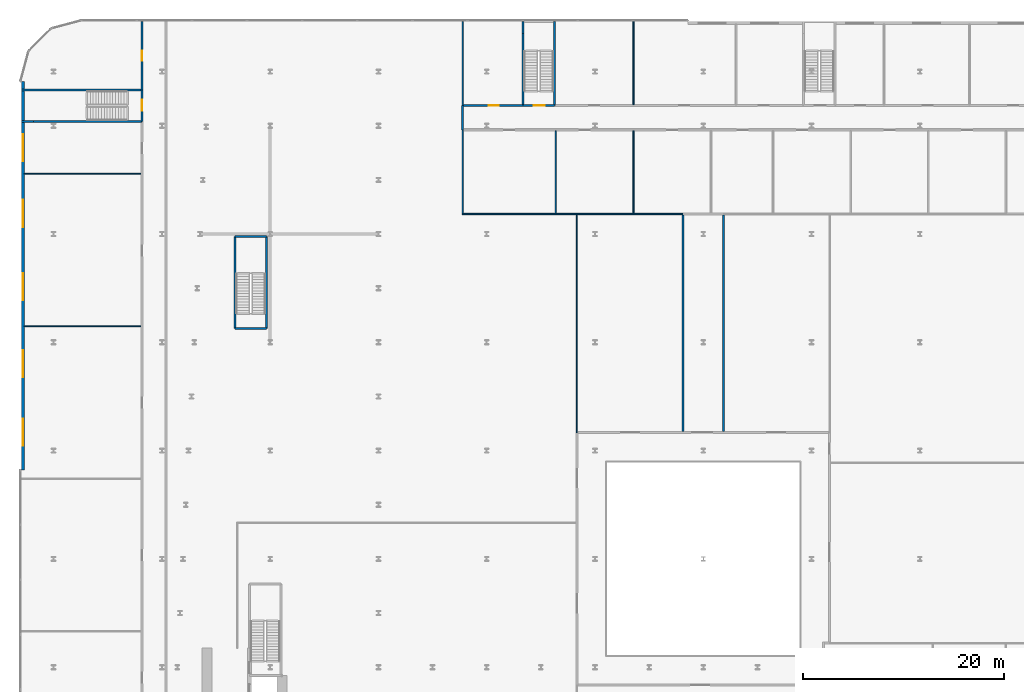
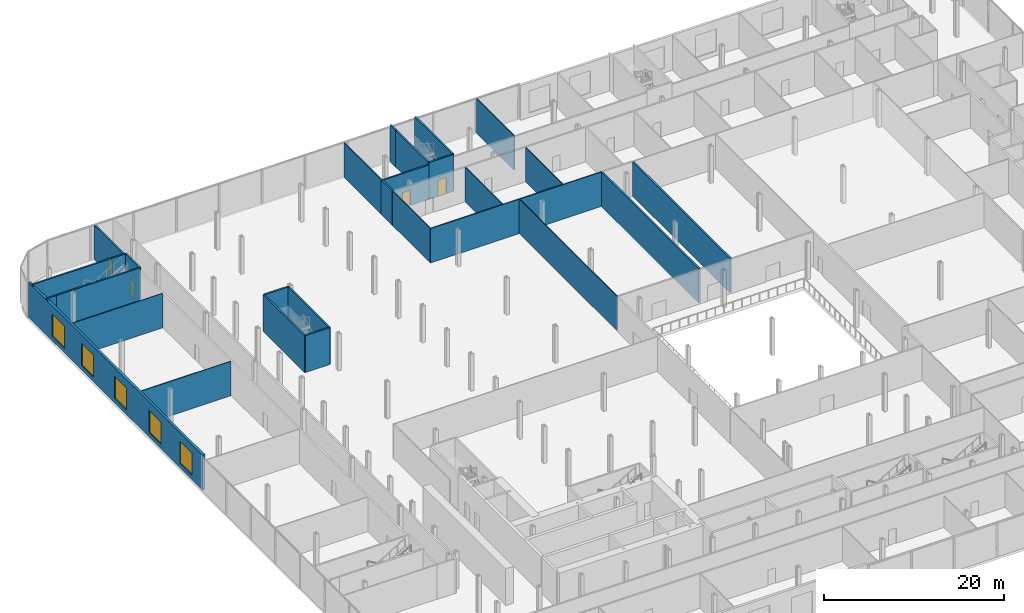
# One storey, part 33 of 47: 27 walls, 5 windows, 4 doors, 9 openings.
"""IFC4 building model written with IfcOpenShell, lengths in metres."""

from ifc_helpers import new_model, si_unit, direction, frame, frame_2d, origin, place, context, subcontext, project, spatial, rectangle, extrude, source, transform, mapped, material, layer, layer_set, type_object, element, fill, save


model = new_model("IFC4")

# Units and contexts
model_context = context("Model", 3, precision=1e-05, world=origin(), true_north=direction((0.0, 1.0)))
body_context = subcontext(model_context, "Body", "Model", "MODEL_VIEW")
ifc_project = project(units=[si_unit("LENGTHUNIT", "METRE"), si_unit("AREAUNIT", "SQUARE_METRE"), si_unit("VOLUMEUNIT", "CUBIC_METRE"), si_unit("PLANEANGLEUNIT", "RADIAN"), si_unit("MASSUNIT", "GRAM", prefix="KILO")], contexts=[model_context])

# Site, building, storey
site_placement = place(None, origin())
site = spatial("IfcSite", under=ifc_project, at=site_placement, CompositionType="ELEMENT")
building_placement = place(site_placement, origin())
building = spatial("IfcBuilding", under=site, at=building_placement, Name="Kheshtan School and Residences Tower", CompositionType="ELEMENT")
storey_placement = place(building_placement, frame((0.0, 0.0, 7.5)))
storey = spatial("IfcBuildingStorey", under=building, at=storey_placement, Name="L01", CompositionType="ELEMENT", Elevation=7.5)

# Walls
ifc_material_1 = material(Name="Gypsum board on steel studs with mineral wool", Category="steel")
ifc_layer_1 = layer(ifc_material_1, 0.125)
ifc_layer_set_1 = layer_set([ifc_layer_1], Name="Acoustic partition 125")
wall_type_1 = type_object("IfcWallType", Name="Acoustic partition 125", PredefinedType="PARTITIONING", material=ifc_layer_set_1)
wall_1_placement = place(storey_placement, frame((55.93798828125, 90.800048828125, 0.0), z_axis=(0.0, 0.0, 1.0), x_axis=(1.0, 0.0, 0.0)))
element("IfcWall", 1, at=wall_1_placement, inside=storey, type_object=wall_type_1, Name="Partition L01-020", PredefinedType="PARTITIONING", context=body_context, shape_type="SweptSolid", body=[
    extrude(rectangle(XDim=22.06201171875, YDim=0.125, at=frame_2d((11.031005859375, 0.0))), origin(), (0.0, 0.0, 1.0), 4.679931640625),
])
wall_2_placement = place(storey_placement, frame((56.0, 90.862060546875, 0.0), z_axis=(0.0, 0.0, 1.0), x_axis=(0.0, 1.0, 0.0)))
element("IfcWall", 2, at=wall_2_placement, inside=storey, type_object=wall_type_1, Name="Partition L01-021", PredefinedType="PARTITIONING", context=body_context, shape_type="SweptSolid", body=[
    extrude(rectangle(XDim=8.337890625, YDim=0.125, at=frame_2d((4.1689453125, 0.0))), origin(), (0.0, 0.0, 1.0), 4.679931640625),
])
wall_3_placement = place(storey_placement, frame((56.0, 101.60009765625, 0.0), z_axis=(0.0, 0.0, 1.0), x_axis=(0.0, 1.0, 0.0)))
element("IfcWall", 3, at=wall_3_placement, inside=storey, type_object=wall_type_1, Name="Partition L01-023", PredefinedType="PARTITIONING", context=body_context, shape_type="SweptSolid", body=[
    extrude(rectangle(XDim=8.39990234375, YDim=0.125, at=frame_2d((4.199951171875, 0.0))), origin(), (0.0, 0.0, 1.0), 4.679931640625),
])
for number, where, z_axis, x_axis, name in (
    (4, (65.2890625, 90.862060546875, 0.0), (0.0, 0.0, 1.0), (0.0, 1.0, 0.0), "Partition L01-027"),
    (5, (73.029052734375, 90.862060546875, 0.0), (0.0, 0.0, 1.0), (0.0, 1.0, 0.0), "Partition L01-034"),
):
    element("IfcWall", number, at=place(storey_placement, frame(where, z_axis=z_axis, x_axis=x_axis)), inside=storey, type_object=wall_type_1, Name=name, PredefinedType="PARTITIONING", context=body_context, shape_type="SweptSolid", body=[
        extrude(rectangle(XDim=8.238037109375, YDim=0.125, at=frame_2d((4.119140625, 0.0))), origin(), (0.0, 0.0, 1.0), 4.679931640625),
    ])
wall_4_placement = place(storey_placement, frame((73.0419921875, 101.699951171875, 0.0), z_axis=(0.0, 0.0, 1.0), x_axis=(0.0, 1.0, 0.0)))
element("IfcWall", 6, at=wall_4_placement, inside=storey, type_object=wall_type_1, Name="Partition L01-035", PredefinedType="PARTITIONING", context=body_context, shape_type="SweptSolid", body=[
    extrude(rectangle(XDim=8.300048828125, YDim=0.125, at=frame_2d((4.14990234375, 0.0))), origin(), (0.0, 0.0, 1.0), 4.679931640625),
])

# Wall, opening, door
ifc_material_2 = material(Name="Gypsum board on steel studs with fire boards", Category="steel")
ifc_layer_2 = layer(ifc_material_2, 0.199951171875)
ifc_layer_set_2 = layer_set([ifc_layer_2], Name="Corridor wall 200")
wall_type_2 = type_object("IfcWallType", Name="Corridor wall 200", PredefinedType="PARTITIONING", material=ifc_layer_set_2)
wall_5_placement = place(storey_placement, frame((24.0, 103.14990234375, 0.0), z_axis=(0.0, 0.0, 1.0), x_axis=(0.0, 1.0, 0.0)))
wall_5 = element("IfcWall", 7, at=wall_5_placement, inside=storey, type_object=wall_type_2, Name="Partition L01-013", PredefinedType="PARTITIONING", context=body_context, shape_type="SweptSolid", body=[
    extrude(rectangle(XDim=6.85009765625, YDim=0.199951171875, at=frame_2d((3.425048828125, 0.0))), origin(), (0.0, 0.0, 1.0), 4.679931640625),
])
opening_1_placement = place(wall_5_placement, frame((2.949951171875, 0.0, 0.0)))
opening_1 = element("IfcOpeningElement", 8, at=opening_1_placement, cuts=wall_5, Name="Opening D01-058", PredefinedType="OPENING", context=body_context, shape_type="SweptSolid", body=[
    extrude(rectangle(XDim=1.0, YDim=2.10009765625, at=frame_2d((0.5, 1.050048828125))), frame((0.0, 0.10986328125, 0.0), z_axis=(0.0, -1.0, 0.0), x_axis=(1.0, 0.0, 0.0)), (0.0, 0.0, 1.0), 0.219970703125),
])
ifc_material_3 = material(Name="Steel-framed fire-resisting door leaf", Category="steel")
door_type_1 = type_object("IfcDoorType", Name="Fire door FD60 1000 x 2100", OperationType="SINGLE_SWING_LEFT", PredefinedType="DOOR", material=ifc_material_3)
shared_shape_1 = source(origin(), body_context, "Body", "SweptSolid", [
    extrude(rectangle(XDim=1.0, YDim=2.10009765625, at=frame_2d((0.5, 1.050048828125))), frame((0.0, 0.02490234375, 0.0), z_axis=(0.0, -1.0, 0.0), x_axis=(1.0, 0.0, 0.0)), (0.0, 0.0, 1.0), 0.050048828125),
])
door_1_placement = place(opening_1_placement, origin())
door_1 = element("IfcDoor", 9, at=door_1_placement, inside=storey, type_object=door_type_1, Name="Door D01-058", OperationType="SINGLE_SWING_RIGHT", OverallHeight=2.10009765625, OverallWidth=1.0, PredefinedType="DOOR", context=body_context, shape_type="MappedRepresentation", body=[
    mapped(shared_shape_1, transform((0.0, 0.0, 0.0), x_axis=(1.0, 0.0, 0.0), y_axis=(0.0, 1.0, 0.0), z_axis=(0.0, 0.0, 1.0), scale=1.0)),
])
fill(opening_1, door_1)

# Wall
wall_6_placement = place(storey_placement, frame((56.0, 99.199951171875, 0.0), z_axis=(0.0, 0.0, 1.0), x_axis=(0.0, 1.0, 0.0)))
element("IfcWall", 10, at=wall_6_placement, inside=storey, type_object=wall_type_2, Name="Partition L01-022", PredefinedType="PARTITIONING", context=body_context, shape_type="SweptSolid", body=[
    extrude(rectangle(XDim=2.400146484375, YDim=0.199951171875, at=frame_2d((1.2001953125, 0.0))), origin(), (0.0, 0.0, 1.0), 4.679931640625),
])

# Wall, opening, door
wall_7_placement = place(storey_placement, frame((56.10009765625, 101.60009765625, 0.0), z_axis=(0.0, 0.0, 1.0), x_axis=(1.0, 0.0, 0.0)))
wall_7 = element("IfcWall", 11, at=wall_7_placement, inside=storey, type_object=wall_type_2, Name="Partition L01-025", PredefinedType="PARTITIONING", context=body_context, shape_type="SweptSolid", body=[
    extrude(rectangle(XDim=5.89990234375, YDim=0.199951171875, at=frame_2d((2.949951171875, 0.0))), origin(), (0.0, 0.0, 1.0), 4.679931640625),
])
opening_2_placement = place(wall_7_placement, frame((2.5, 0.0, 0.0)))
opening_2 = element("IfcOpeningElement", 12, at=opening_2_placement, cuts=wall_7, Name="Opening D01-024", PredefinedType="OPENING", context=body_context, shape_type="SweptSolid", body=[
    extrude(rectangle(XDim=1.0, YDim=2.10009765625, at=frame_2d((0.5, 1.050048828125))), frame((0.0, 0.10986328125, 0.0), z_axis=(0.0, -1.0, 0.0), x_axis=(1.0, 0.0, 0.0)), (0.0, 0.0, 1.0), 0.219970703125),
])
door_2_placement = place(opening_2_placement, origin())
door_2 = element("IfcDoor", 13, at=door_2_placement, inside=storey, type_object=door_type_1, Name="Door D01-024", OperationType="SINGLE_SWING_LEFT", OverallHeight=2.10009765625, OverallWidth=1.0, PredefinedType="DOOR", context=body_context, shape_type="MappedRepresentation", body=[
    mapped(shared_shape_1, transform((0.0, 0.0, 0.0), x_axis=(1.0, 0.0, 0.0), y_axis=(0.0, 1.0, 0.0), z_axis=(0.0, 0.0, 1.0), scale=1.0)),
])
fill(opening_2, door_2)

# Walls
for number, where, z_axis, x_axis, name in (
    (14, (78.0, 69.10009765625, 0.0), (0.0, 0.0, 1.0), (0.0, 1.0, 0.0), "Partition L01-036"),
    (15, (82.0, 69.10009765625, 0.0), (0.0, 0.0, 1.0), (0.0, 1.0, 0.0), "Partition L01-040"),
):
    element("IfcWall", number, at=place(storey_placement, frame(where, z_axis=z_axis, x_axis=x_axis)), inside=storey, type_object=wall_type_2, Name=name, PredefinedType="PARTITIONING", context=body_context, shape_type="SweptSolid", body=[
        extrude(rectangle(XDim=21.599853515625, YDim=0.199951171875, at=frame_2d((10.7998046875, 0.0))), origin(), (0.0, 0.0, 1.0), 4.679931640625),
    ])
ifc_material_4 = material(Name="Gypsum board on steel studs", Category="steel")
ifc_layer_3 = layer(ifc_material_4, 0.10009765625)
ifc_layer_set_3 = layer_set([ifc_layer_3], Name="Gypsum partition 100")
wall_type_3 = type_object("IfcWallType", Name="Gypsum partition 100", PredefinedType="PARTITIONING", material=ifc_layer_set_3)
for number, where, z_axis, x_axis, name in (
    (16, (12.299072265625, 79.60009765625, 0.0), (0.0, 0.0, 1.0), (1.0, 0.0, 0.0), "Partition L01-006"),
    (17, (12.299072265625, 94.800048828125, 0.0), (0.0, 0.0, 1.0), (1.0, 0.0, 0.0), "Partition L01-007"),
):
    element("IfcWall", number, at=place(storey_placement, frame(where, z_axis=z_axis, x_axis=x_axis)), inside=storey, type_object=wall_type_3, Name=name, PredefinedType="PARTITIONING", context=body_context, shape_type="SweptSolid", body=[
        extrude(rectangle(XDim=11.600830078125, YDim=0.10009765625, at=frame_2d((5.80029296875, 0.0))), origin(), (0.0, 0.0, 1.0), 4.679931640625),
    ])
wall_8_placement = place(storey_placement, frame((67.39990234375, 69.0, 0.0), z_axis=(0.0, 0.0, 1.0), x_axis=(0.0, 1.0, 0.0)))
element("IfcWall", 18, at=wall_8_placement, inside=storey, type_object=wall_type_3, Name="Partition L01-031", PredefinedType="PARTITIONING", context=body_context, shape_type="SweptSolid", body=[
    extrude(rectangle(XDim=21.738037109375, YDim=0.10009765625, at=frame_2d((10.869140625, 0.0))), origin(), (0.0, 0.0, 1.0), 4.679931640625),
])

# Wall, openings, windows
ifc_material_5 = material(Name="Concrete C40/50 with ceramic cladding and mineral wool insulation", Category="concrete")
ifc_layer_4 = layer(ifc_material_5, 0.300048828125)
ifc_layer_set_4 = layer_set([ifc_layer_4], Name="Podium external wall 300")
wall_type_4 = type_object("IfcWallType", Name="Podium external wall 300", PredefinedType="SOLIDWALL", material=ifc_layer_set_4)
wall_9_placement = place(storey_placement, frame((12.14990234375, 65.280029296875, 0.0), z_axis=(0.0, 0.0, 1.0), x_axis=(0.0, 1.0, 0.0)))
wall_9 = element("IfcWall", 19, at=wall_9_placement, inside=storey, type_object=wall_type_4, Name="Podium external wall L01 16.1", PredefinedType="SOLIDWALL", context=body_context, shape_type="SweptSolid", body=[
    extrude(rectangle(XDim=38.719970703125, YDim=0.300048828125, at=frame_2d((19.35986328125, 0.0))), origin(), (0.0, 0.0, 1.0), 4.75),
])
opening_3_placement = place(wall_9_placement, frame((2.3798828125, 0.0, 0.60009765625)))
opening_3 = element("IfcOpeningElement", 20, at=opening_3_placement, cuts=wall_9, Name="Opening WN-F", PredefinedType="OPENING", context=body_context, shape_type="SweptSolid", body=[
    extrude(rectangle(XDim=2.699951171875, YDim=3.0, at=frame_2d((1.35009765625, 1.5))), frame((0.0, 0.16015625, 0.0), z_axis=(0.0, -1.0, 0.0), x_axis=(1.0, 0.0, 0.0)), (0.0, 0.0, 1.0), 0.320068359375),
])
opening_4_placement = place(wall_9_placement, frame((9.239990234375, 0.0, 0.60009765625)))
opening_4 = element("IfcOpeningElement", 21, at=opening_4_placement, cuts=wall_9, Name="Opening WN-F", PredefinedType="OPENING", context=body_context, shape_type="SweptSolid", body=[
    extrude(rectangle(XDim=2.699951171875, YDim=3.0, at=frame_2d((1.35009765625, 1.5))), frame((0.0, 0.16015625, 0.0), z_axis=(0.0, -1.0, 0.0), x_axis=(1.0, 0.0, 0.0)), (0.0, 0.0, 1.0), 0.320068359375),
])
opening_5_placement = place(wall_9_placement, frame((16.919921875, 0.0, 0.60009765625)))
opening_5 = element("IfcOpeningElement", 22, at=opening_5_placement, cuts=wall_9, Name="Opening WN-F", PredefinedType="OPENING", context=body_context, shape_type="SweptSolid", body=[
    extrude(rectangle(XDim=2.699951171875, YDim=3.0, at=frame_2d((1.35009765625, 1.5))), frame((0.0, 0.16015625, 0.0), z_axis=(0.0, -1.0, 0.0), x_axis=(1.0, 0.0, 0.0)), (0.0, 0.0, 1.0), 0.320068359375),
])
opening_6_placement = place(wall_9_placement, frame((24.219970703125, 0.0, 0.60009765625)))
opening_6 = element("IfcOpeningElement", 23, at=opening_6_placement, cuts=wall_9, Name="Opening WN-F", PredefinedType="OPENING", context=body_context, shape_type="SweptSolid", body=[
    extrude(rectangle(XDim=2.699951171875, YDim=3.0, at=frame_2d((1.35009765625, 1.5))), frame((0.0, 0.16015625, 0.0), z_axis=(0.0, -1.0, 0.0), x_axis=(1.0, 0.0, 0.0)), (0.0, 0.0, 1.0), 0.320068359375),
])
opening_7_placement = place(wall_9_placement, frame((30.77001953125, 0.0, 0.60009765625)))
opening_7 = element("IfcOpeningElement", 24, at=opening_7_placement, cuts=wall_9, Name="Opening WN-F", PredefinedType="OPENING", context=body_context, shape_type="SweptSolid", body=[
    extrude(rectangle(XDim=2.699951171875, YDim=3.0, at=frame_2d((1.35009765625, 1.5))), frame((0.0, 0.16015625, 0.0), z_axis=(0.0, -1.0, 0.0), x_axis=(1.0, 0.0, 0.0)), (0.0, 0.0, 1.0), 0.320068359375),
])
ifc_material_6 = material(Name="Clear low-e glass in thermally broken aluminium frame", Category="aluminium")
window_type = type_object("IfcWindowType", Name="Window WN-F", PartitioningType="SINGLE_PANEL", PredefinedType="WINDOW", material=ifc_material_6)
shared_shape_2 = source(origin(), body_context, "Body", "SweptSolid", [
    extrude(rectangle(XDim=2.699951171875, YDim=3.0, at=frame_2d((1.35009765625, 1.5))), frame((0.0, 0.030029296875, 0.0), z_axis=(0.0, -1.0, 0.0), x_axis=(1.0, 0.0, 0.0)), (0.0, 0.0, 1.0), 0.06005859375),
])
window_1_placement = place(opening_3_placement, origin())
window_1 = element("IfcWindow", 25, at=window_1_placement, inside=storey, type_object=window_type, Name="Window L01 16.1.1", OverallHeight=3.0, OverallWidth=2.699951171875, PartitioningType="SINGLE_PANEL", PredefinedType="WINDOW", context=body_context, shape_type="MappedRepresentation", body=[
    mapped(shared_shape_2, transform((0.0, 0.0, 0.0), x_axis=(1.0, 0.0, 0.0), y_axis=(0.0, 1.0, 0.0), z_axis=(0.0, 0.0, 1.0), scale=1.0)),
])
fill(opening_3, window_1)
window_2_placement = place(opening_4_placement, origin())
window_2 = element("IfcWindow", 26, at=window_2_placement, inside=storey, type_object=window_type, Name="Window L01 16.1.2", OverallHeight=3.0, OverallWidth=2.699951171875, PartitioningType="SINGLE_PANEL", PredefinedType="WINDOW", context=body_context, shape_type="MappedRepresentation", body=[
    mapped(shared_shape_2, transform((0.0, 0.0, 0.0), x_axis=(1.0, 0.0, 0.0), y_axis=(0.0, 1.0, 0.0), z_axis=(0.0, 0.0, 1.0), scale=1.0)),
])
fill(opening_4, window_2)
window_3_placement = place(opening_5_placement, origin())
window_3 = element("IfcWindow", 27, at=window_3_placement, inside=storey, type_object=window_type, Name="Window L01 16.1.3", OverallHeight=3.0, OverallWidth=2.699951171875, PartitioningType="SINGLE_PANEL", PredefinedType="WINDOW", context=body_context, shape_type="MappedRepresentation", body=[
    mapped(shared_shape_2, transform((0.0, 0.0, 0.0), x_axis=(1.0, 0.0, 0.0), y_axis=(0.0, 1.0, 0.0), z_axis=(0.0, 0.0, 1.0), scale=1.0)),
])
fill(opening_5, window_3)
window_4_placement = place(opening_6_placement, origin())
window_4 = element("IfcWindow", 28, at=window_4_placement, inside=storey, type_object=window_type, Name="Window L01 16.1.4", OverallHeight=3.0, OverallWidth=2.699951171875, PartitioningType="SINGLE_PANEL", PredefinedType="WINDOW", context=body_context, shape_type="MappedRepresentation", body=[
    mapped(shared_shape_2, transform((0.0, 0.0, 0.0), x_axis=(1.0, 0.0, 0.0), y_axis=(0.0, 1.0, 0.0), z_axis=(0.0, 0.0, 1.0), scale=1.0)),
])
fill(opening_6, window_4)
window_5_placement = place(opening_7_placement, origin())
window_5 = element("IfcWindow", 29, at=window_5_placement, inside=storey, type_object=window_type, Name="Window L01 16.1.5", OverallHeight=3.0, OverallWidth=2.699951171875, PartitioningType="SINGLE_PANEL", PredefinedType="WINDOW", context=body_context, shape_type="MappedRepresentation", body=[
    mapped(shared_shape_2, transform((0.0, 0.0, 0.0), x_axis=(1.0, 0.0, 0.0), y_axis=(0.0, 1.0, 0.0), z_axis=(0.0, 0.0, 1.0), scale=1.0)),
])
fill(opening_7, window_5)

# Walls
ifc_material_7 = material(Name="Concrete C40/50", Category="concrete")
ifc_layer_5 = layer(ifc_material_7, 0.199951171875)
ifc_layer_set_5 = layer_set([ifc_layer_5], Name="Stair enclosure wall 200 Concrete C40/50")
wall_type_5 = type_object("IfcWallType", Name="Stair enclosure wall 200 Concrete C40/50", PredefinedType="SHEAR", material=ifc_layer_set_5)
for number, where, z_axis, x_axis, name in (
    (30, (33.300048828125, 79.39990234375, 0.0), (0.0, 0.0, 1.0), (1.0, 0.0, 0.0), "Stair enclosure wall ST3"),
    (31, (33.300048828125, 88.56005859375, 0.0), (0.0, 0.0, 1.0), (1.0, 0.0, 0.0), "Stair enclosure wall ST3"),
):
    element("IfcWall", number, at=place(storey_placement, frame(where, z_axis=z_axis, x_axis=x_axis)), inside=storey, type_object=wall_type_5, Name=name, PredefinedType="SHEAR", context=body_context, shape_type="SweptSolid", body=[
        extrude(rectangle(XDim=3.14990234375, YDim=0.199951171875, at=frame_2d((1.574951171875, 0.0))), origin(), (0.0, 0.0, 1.0), 5.0),
    ])
for number, where, z_axis, x_axis, name in (
    (32, (33.300048828125, 79.39990234375, 0.0), (0.0, 0.0, 1.0), (0.0, 1.0, 0.0), "Stair enclosure wall ST3"),
    (33, (36.449951171875, 79.39990234375, 0.0), (0.0, 0.0, 1.0), (0.0, 1.0, 0.0), "Stair enclosure wall ST3"),
):
    element("IfcWall", number, at=place(storey_placement, frame(where, z_axis=z_axis, x_axis=x_axis)), inside=storey, type_object=wall_type_5, Name=name, PredefinedType="SHEAR", context=body_context, shape_type="SweptSolid", body=[
        extrude(rectangle(XDim=9.16015625, YDim=0.199951171875, at=frame_2d((4.580078125, 0.0))), origin(), (0.0, 0.0, 1.0), 5.0),
    ])

# Wall, opening, door
wall_10_placement = place(storey_placement, frame((62.0, 101.60009765625, 0.0), z_axis=(0.0, 0.0, 1.0), x_axis=(1.0, 0.0, 0.0)))
wall_10 = element("IfcWall", 34, at=wall_10_placement, inside=storey, type_object=wall_type_5, Name="Stair enclosure wall", PredefinedType="SHEAR", context=body_context, shape_type="SweptSolid", body=[
    extrude(rectangle(XDim=3.14990234375, YDim=0.199951171875, at=frame_2d((1.574951171875, 0.0))), origin(), (0.0, 0.0, 1.0), 5.0),
])
opening_8_placement = place(wall_10_placement, frame((1.10009765625, 0.0, 0.0)))
opening_8 = element("IfcOpeningElement", 35, at=opening_8_placement, cuts=wall_10, Name="Opening SD90", PredefinedType="OPENING", context=body_context, shape_type="SweptSolid", body=[
    extrude(rectangle(XDim=1.10009765625, YDim=2.199951171875, at=frame_2d((0.550048828125, 1.10009765625))), frame((0.0, 0.10986328125, 0.0), z_axis=(0.0, -1.0, 0.0), x_axis=(1.0, 0.0, 0.0)), (0.0, 0.0, 1.0), 0.219970703125),
])
ifc_material_8 = material(Name="Steel door leaf, galvanised", Category="steel")
door_type_2 = type_object("IfcDoorType", Name="Stair door 1100 steel 90 min", OperationType="SINGLE_SWING_LEFT", PredefinedType="DOOR", material=ifc_material_8)
shared_shape_3 = source(origin(), body_context, "Body", "SweptSolid", [
    extrude(rectangle(XDim=1.10009765625, YDim=2.199951171875, at=frame_2d((0.550048828125, 1.10009765625))), frame((0.0, 0.02490234375, 0.0), z_axis=(0.0, -1.0, 0.0), x_axis=(1.0, 0.0, 0.0)), (0.0, 0.0, 1.0), 0.050048828125),
])
door_3_placement = place(opening_8_placement, origin())
door_3 = element("IfcDoor", 36, at=door_3_placement, inside=storey, type_object=door_type_2, Name="Stair door", OperationType="SINGLE_SWING_RIGHT", OverallHeight=2.199951171875, OverallWidth=1.10009765625, PredefinedType="DOOR", context=body_context, shape_type="MappedRepresentation", body=[
    mapped(shared_shape_3, transform((0.0, 0.0, 0.0), x_axis=(1.0, 0.0, 0.0), y_axis=(0.0, 1.0, 0.0), z_axis=(0.0, 0.0, 1.0), scale=1.0)),
])
fill(opening_8, door_3)

# Walls
wall_11_placement = place(storey_placement, frame((62.0, 101.60009765625, 0.0), z_axis=(0.0, 0.0, 1.0), x_axis=(0.0, 1.0, 0.0)))
element("IfcWall", 37, at=wall_11_placement, inside=storey, type_object=wall_type_5, Name="Stair enclosure wall", PredefinedType="SHEAR", context=body_context, shape_type="SweptSolid", body=[
    extrude(rectangle(XDim=7.199951171875, YDim=0.199951171875, at=frame_2d((3.60009765625, 0.0))), origin(), (0.0, 0.0, 1.0), 5.0),
])
wall_12_placement = place(storey_placement, frame((62.0, 108.800048828125, 0.0), z_axis=(0.0, 0.0, 1.0), x_axis=(0.0, 1.0, 0.0)))
element("IfcWall", 38, at=wall_12_placement, inside=storey, type_object=wall_type_5, Name="Stair enclosure wall", PredefinedType="SHEAR", context=body_context, shape_type="SweptSolid", body=[
    extrude(rectangle(XDim=1.199951171875, YDim=0.199951171875, at=frame_2d((0.60009765625, 0.0))), origin(), (0.0, 0.0, 1.0), 5.0),
])
wall_13_placement = place(storey_placement, frame((65.14990234375, 101.60009765625, 0.0), z_axis=(0.0, 0.0, 1.0), x_axis=(0.0, 1.0, 0.0)))
element("IfcWall", 39, at=wall_13_placement, inside=storey, type_object=wall_type_5, Name="Stair enclosure wall", PredefinedType="SHEAR", context=body_context, shape_type="SweptSolid", body=[
    extrude(rectangle(XDim=8.39990234375, YDim=0.199951171875, at=frame_2d((4.199951171875, 0.0))), origin(), (0.0, 0.0, 1.0), 5.0),
])
wall_14_placement = place(storey_placement, frame((12.0, 100.0, 0.0), z_axis=(0.0, 0.0, 1.0), x_axis=(1.0, 0.0, 0.0)))
element("IfcWall", 40, at=wall_14_placement, inside=storey, type_object=wall_type_5, Name="Stair enclosure wall", PredefinedType="SHEAR", context=body_context, shape_type="SweptSolid", body=[
    extrude(rectangle(XDim=1.199951171875, YDim=0.199951171875, at=frame_2d((0.60009765625, 0.0))), origin(), (0.0, 0.0, 1.0), 5.0),
])
wall_15_placement = place(storey_placement, frame((13.199951171875, 100.0, 0.0), z_axis=(0.0, 0.0, 1.0), x_axis=(1.0, 0.0, 0.0)))
element("IfcWall", 41, at=wall_15_placement, inside=storey, type_object=wall_type_5, Name="Stair enclosure wall", PredefinedType="SHEAR", context=body_context, shape_type="SweptSolid", body=[
    extrude(rectangle(XDim=10.800048828125, YDim=0.199951171875, at=frame_2d((5.39990234375, 0.0))), origin(), (0.0, 0.0, 1.0), 5.0),
])
wall_16_placement = place(storey_placement, frame((12.0, 103.14990234375, 0.0), z_axis=(0.0, 0.0, 1.0), x_axis=(1.0, 0.0, 0.0)))
element("IfcWall", 42, at=wall_16_placement, inside=storey, type_object=wall_type_5, Name="Stair enclosure wall", PredefinedType="SHEAR", context=body_context, shape_type="SweptSolid", body=[
    extrude(rectangle(XDim=12.0, YDim=0.199951171875, at=frame_2d((6.0, 0.0))), origin(), (0.0, 0.0, 1.0), 5.0),
])

# Wall, opening, door
wall_17_placement = place(storey_placement, frame((24.0, 100.0, 0.0), z_axis=(0.0, 0.0, 1.0), x_axis=(0.0, 1.0, 0.0)))
wall_17 = element("IfcWall", 43, at=wall_17_placement, inside=storey, type_object=wall_type_5, Name="Stair enclosure wall", PredefinedType="SHEAR", context=body_context, shape_type="SweptSolid", body=[
    extrude(rectangle(XDim=3.14990234375, YDim=0.199951171875, at=frame_2d((1.574951171875, 0.0))), origin(), (0.0, 0.0, 1.0), 5.0),
])
opening_9_placement = place(wall_17_placement, frame((1.10009765625, 0.0, 0.0)))
opening_9 = element("IfcOpeningElement", 44, at=opening_9_placement, cuts=wall_17, Name="Opening SD90", PredefinedType="OPENING", context=body_context, shape_type="SweptSolid", body=[
    extrude(rectangle(XDim=1.10009765625, YDim=2.199951171875, at=frame_2d((0.550048828125, 1.10009765625))), frame((0.0, 0.10986328125, 0.0), z_axis=(0.0, -1.0, 0.0), x_axis=(1.0, 0.0, 0.0)), (0.0, 0.0, 1.0), 0.219970703125),
])
door_4_placement = place(opening_9_placement, origin())
door_4 = element("IfcDoor", 45, at=door_4_placement, inside=storey, type_object=door_type_2, Name="Stair door", OperationType="SINGLE_SWING_RIGHT", OverallHeight=2.199951171875, OverallWidth=1.10009765625, PredefinedType="DOOR", context=body_context, shape_type="MappedRepresentation", body=[
    mapped(shared_shape_3, transform((0.0, 0.0, 0.0), x_axis=(1.0, 0.0, 0.0), y_axis=(0.0, 1.0, 0.0), z_axis=(0.0, 0.0, 1.0), scale=1.0)),
])
fill(opening_9, door_4)

save(model, "model.ifc")
